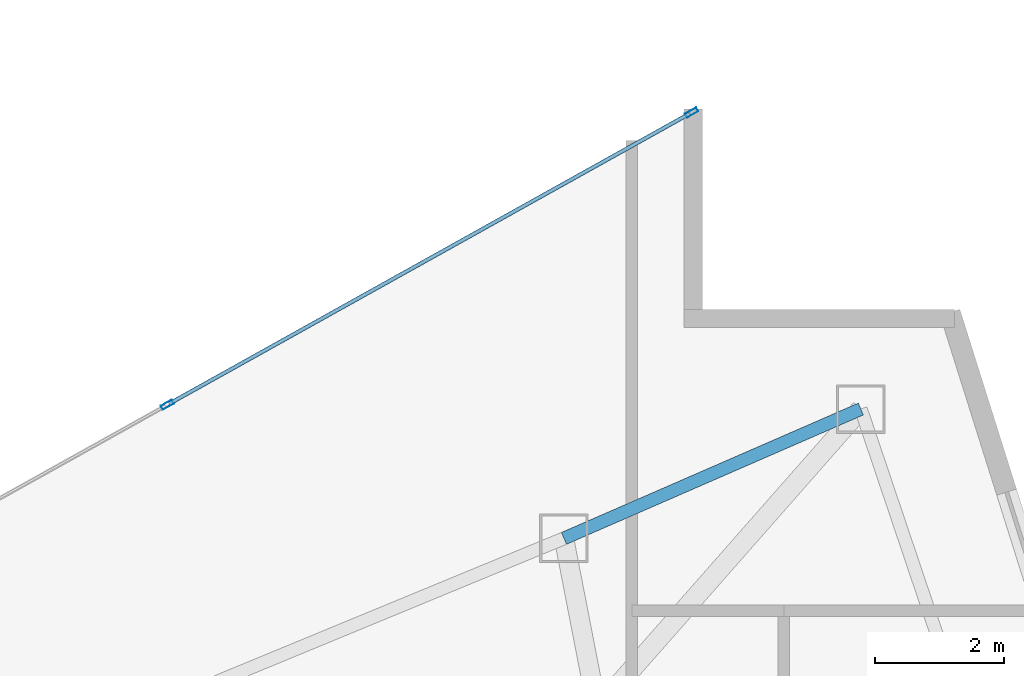
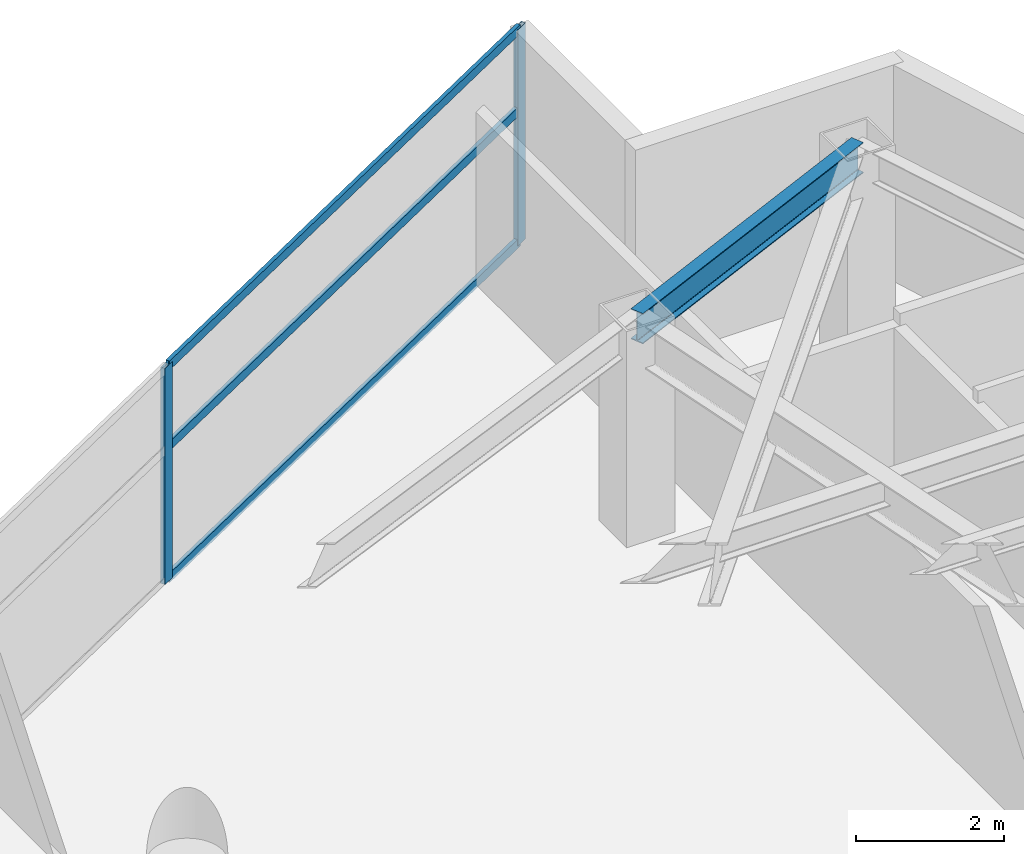
# One storey, part 20 of 28: 5 members, 1 beam, 1 element without a shape of its own.
"""IFC4 building model written with IfcOpenShell, lengths in metres."""

from ifc_helpers import new_model, si_unit, direction, frame, origin, origin_2d, place, context, subcontext, project, spatial, hollow_rectangle, i_section, extrude, material, layer, layer_set, material_profile, profile_set, type_object, element, aggregate, save


model = new_model("IFC4")

# Units and contexts
model_context = context("Model", 3, precision=1e-05, world=origin(), true_north=direction((0.0, 1.0)))
body_context = subcontext(model_context, "Body", "Model", "MODEL_VIEW")
ifc_project = project(units=[si_unit("LENGTHUNIT", "METRE"), si_unit("AREAUNIT", "SQUARE_METRE"), si_unit("VOLUMEUNIT", "CUBIC_METRE"), si_unit("PLANEANGLEUNIT", "RADIAN"), si_unit("MASSUNIT", "GRAM", prefix="KILO")], contexts=[model_context])

# Site, building, storey
site_placement = place(None, origin())
site = spatial("IfcSite", under=ifc_project, at=site_placement, CompositionType="ELEMENT")
building_placement = place(site_placement, origin())
building = spatial("IfcBuilding", under=site, at=building_placement, Name="Calvorn Quay Hotel", CompositionType="ELEMENT")
storey_placement = place(building_placement, frame((0.0, 0.0, 108.800048828125)))
storey = spatial("IfcBuildingStorey", under=building, at=storey_placement, Name="L26", CompositionType="ELEMENT", Elevation=108.800048828125)

# Beam
ifc_material_1 = material(Name="Steel Q355B", Category="steel")
ifc_material_profile_1 = material_profile(ifc_material_1, i_section(OverallWidth=0.199951171875, OverallDepth=0.5, WebThickness=0.010009765625, FlangeThickness=0.01611328125, FilletRadius=0.01611328125, at=origin_2d()), Name="HN500x200x10x16")
ifc_profile_set_1 = profile_set([ifc_material_profile_1], Name="Steel Q355B")
beam_type = type_object("IfcBeamType", Name="BM-SPANDREL-Z1", PredefinedType="SPANDREL", material=ifc_profile_set_1)
beam_placement = place(storey_placement, frame((48.591064453125, 33.39990234375, 3.2900390625), z_axis=(-0.916786146489, -0.399378469132, 0.0), x_axis=(0.399378469132, -0.916786146489, 0.0)))
element("IfcBeam", 1, at=beam_placement, inside=storey, type_object=beam_type, Name="Beam BSP-L26-E3", PredefinedType="SPANDREL", context=body_context, shape_type="SweptSolid", body=[
    extrude(i_section(OverallWidth=0.199951171875, OverallDepth=0.5, WebThickness=0.010009765625, FlangeThickness=0.01611328125, FilletRadius=0.01611328125, at=origin_2d()), origin(), (0.0, 0.0, 1.0), 5.0078125),
])

# Curtain wall, members
ifc_material_2 = material(Name="Pale Anodised Aluminium and Low-E Glass", Category="aluminium")
ifc_layer = layer(ifc_material_2, 0.219970703125)
ifc_layer_set = layer_set([ifc_layer], Name="CW-SYS-Z2")
curtain_wall_type = type_object("IfcCurtainWallType", Name="CW-SYS-Z2", PredefinedType="NOTDEFINED", material=ifc_layer_set)
curtain_wall_placement = place(storey_placement, origin())
curtain_wall = element("IfcCurtainWall", 2, at=curtain_wall_placement, inside=storey, type_object=curtain_wall_type, Name="Inner Court Curtain Wall L26-NE1", PredefinedType="NOTDEFINED")
ifc_material_3 = material(Name="Pale Anodised Aluminium 6063-T6", Category="aluminium")
ifc_material_profile_2 = material_profile(ifc_material_3, hollow_rectangle(XDim=0.070068359375, YDim=0.199951171875, WallThickness=0.00390625, at=origin_2d()), Name="ALU-M200x70x4")
ifc_profile_set_2 = profile_set([ifc_material_profile_2], Name="Pale Anodised Aluminium 6063-T6")
member_type_1 = type_object("IfcMemberType", Name="CW-SYS-Z2-MUL", PredefinedType="MULLION", material=ifc_profile_set_2)
member_1_placement = place(storey_placement, frame((45.973876953125, 37.9853515625, 0.0), z_axis=(0.0, 0.0, 1.0), x_axis=(0.486858256224, -0.873480989116, 0.0)))
member_1 = element("IfcMember", 3, at=member_1_placement, type_object=member_type_1, Name="CW-L26-NE1 mullion 1", PredefinedType="MULLION", context=body_context, shape_type="SweptSolid", body=[
    extrude(hollow_rectangle(XDim=0.070068359375, YDim=0.199951171875, WallThickness=0.00390625, at=origin_2d()), origin(), (0.0, 0.0, 1.0), 3.56005859375),
])
member_2_placement = place(storey_placement, frame((37.86669921875, 33.466552734375, 0.0), z_axis=(0.0, 0.0, 1.0), x_axis=(0.486858256224, -0.873480989116, 0.0)))
member_2 = element("IfcMember", 4, at=member_2_placement, type_object=member_type_1, Name="CW-L26-NE1 mullion 2", PredefinedType="MULLION", context=body_context, shape_type="SweptSolid", body=[
    extrude(hollow_rectangle(XDim=0.070068359375, YDim=0.199951171875, WallThickness=0.00390625, at=origin_2d()), origin(), (0.0, 0.0, 1.0), 3.56005859375),
])
ifc_material_4 = material(Name="Pale Anodised Aluminium 6063-T6", Category="aluminium")
ifc_material_profile_3 = material_profile(ifc_material_4, hollow_rectangle(XDim=0.06005859375, YDim=0.14990234375, WallThickness=0.00341796875, at=origin_2d()), Name="ALU-T150x60x3.5")
ifc_profile_set_3 = profile_set([ifc_material_profile_3], Name="Pale Anodised Aluminium 6063-T6")
member_type_2 = type_object("IfcMemberType", Name="CW-SYS-Z2-TRN", PredefinedType="USERDEFINED", material=ifc_profile_set_3)
member_3_placement = place(storey_placement, frame((45.947509765625, 37.970703125, 0.030029296875), z_axis=(-0.87348080454, -0.486858587375, 0.0), x_axis=(0.486858587375, -0.87348080454, 0.0)))
member_3 = element("IfcMember", 5, at=member_3_placement, type_object=member_type_2, Name="CW-L26-NE1 transom 1.1", ObjectType="TRANSOM", PredefinedType="USERDEFINED", context=body_context, shape_type="SweptSolid", body=[
    extrude(hollow_rectangle(XDim=0.06005859375, YDim=0.14990234375, WallThickness=0.00341796875, at=origin_2d()), origin(), (0.0, 0.0, 1.0), 9.221435546875),
])
member_4_placement = place(storey_placement, frame((45.947509765625, 37.970703125, 2.199951171875), z_axis=(-0.87348080454, -0.486858587375, 0.0), x_axis=(0.486858587375, -0.87348080454, 0.0)))
member_4 = element("IfcMember", 6, at=member_4_placement, type_object=member_type_2, Name="CW-L26-NE1 transom 1.2", ObjectType="TRANSOM", PredefinedType="USERDEFINED", context=body_context, shape_type="SweptSolid", body=[
    extrude(hollow_rectangle(XDim=0.06005859375, YDim=0.14990234375, WallThickness=0.00341796875, at=origin_2d()), origin(), (0.0, 0.0, 1.0), 9.221435546875),
])
member_5_placement = place(storey_placement, frame((45.947509765625, 37.970703125, 3.530029296875), z_axis=(-0.87348080454, -0.486858587375, 0.0), x_axis=(0.486858587375, -0.87348080454, 0.0)))
member_5 = element("IfcMember", 7, at=member_5_placement, type_object=member_type_2, Name="CW-L26-NE1 transom 1.3", ObjectType="TRANSOM", PredefinedType="USERDEFINED", context=body_context, shape_type="SweptSolid", body=[
    extrude(hollow_rectangle(XDim=0.06005859375, YDim=0.14990234375, WallThickness=0.00341796875, at=origin_2d()), origin(), (0.0, 0.0, 1.0), 9.221435546875),
])
aggregate(curtain_wall, [member_1, member_2, member_3, member_4, member_5])

save(model, "model.ifc")
